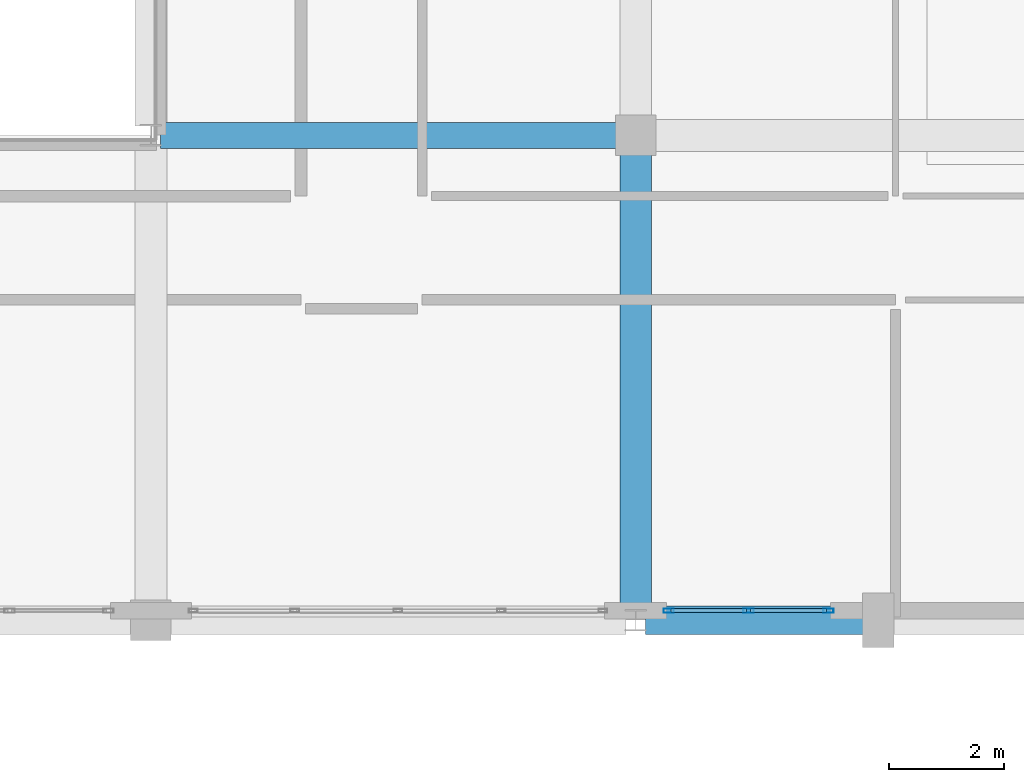
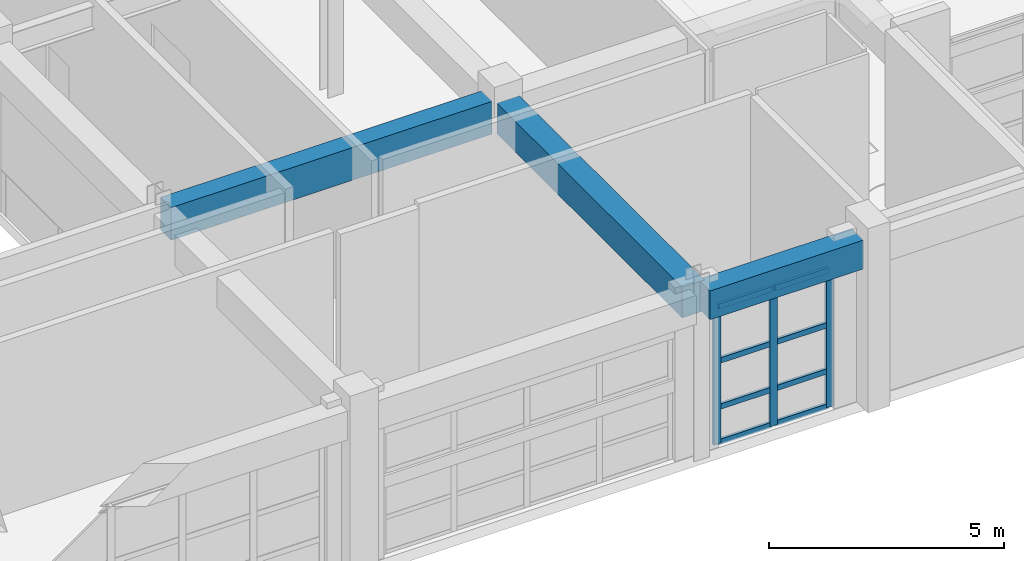
# One storey, part 54 of 123: 11 members, 3 beams, 1 element without a shape of its own.
"""IFC4 building model written with IfcOpenShell, lengths in metres."""

from ifc_helpers import new_model, si_unit, direction, frame, origin, origin_2d, place, context, subcontext, project, spatial, rectangle, hollow_rectangle, extrude, material, layer, layer_set, material_profile, profile_set, type_object, element, aggregate, save


model = new_model("IFC4")

# Units and contexts
model_context = context("Model", 3, precision=1e-05, world=origin(), true_north=direction((0.0, 1.0)))
body_context = subcontext(model_context, "Body", "Model", "MODEL_VIEW")
ifc_project = project(units=[si_unit("LENGTHUNIT", "METRE"), si_unit("AREAUNIT", "SQUARE_METRE"), si_unit("VOLUMEUNIT", "CUBIC_METRE"), si_unit("PLANEANGLEUNIT", "RADIAN"), si_unit("MASSUNIT", "GRAM", prefix="KILO")], contexts=[model_context])

# Site, building, storey
site_placement = place(None, origin())
site = spatial("IfcSite", under=ifc_project, at=site_placement, CompositionType="ELEMENT")
building_placement = place(site_placement, origin())
building = spatial("IfcBuilding", under=site, at=building_placement, Name="Quendrovan Civic Courthouse", CompositionType="ELEMENT")
storey_placement = place(building_placement, frame((0.0, 0.0, 5.39990234375)))
storey = spatial("IfcBuildingStorey", under=building, at=storey_placement, Name="L02", CompositionType="ELEMENT", Elevation=5.39990234375)

# Beams
ifc_material_1 = material(Name="Concrete C40/50", Category="concrete")
ifc_material_profile_1 = material_profile(ifc_material_1, rectangle(XDim=0.5, YDim=0.75, at=origin_2d()), Name="RC-BM-500x750")
ifc_profile_set_1 = profile_set([ifc_material_profile_1], Name="Concrete C40/50")
beam_type_1 = type_object("IfcBeamType", Name="BM-RC750", PredefinedType="SPANDREL", material=ifc_profile_set_1)
beam_1_placement = place(storey_placement, frame((92.56689453125, 64.800048828125, 3.985107421875), z_axis=(1.0, 0.0, 0.0), x_axis=(0.0, 1.0, 0.0)))
element("IfcBeam", 1, at=beam_1_placement, inside=storey, type_object=beam_type_1, Name="L02 Girder X0537", PredefinedType="SPANDREL", context=body_context, shape_type="SweptSolid", body=[
    extrude(rectangle(XDim=0.5, YDim=0.75, at=origin_2d()), origin(), (0.0, 0.0, 1.0), 3.778076171875),
])
ifc_material_profile_2 = material_profile(ifc_material_1, rectangle(XDim=0.550048828125, YDim=0.800048828125, at=origin_2d()), Name="RC-BM-550x800")
ifc_profile_set_2 = profile_set([ifc_material_profile_2], Name="Concrete C40/50")
beam_type_2 = type_object("IfcBeamType", Name="BM-RC800", PredefinedType="BEAM", material=ifc_profile_set_2)
beam_2_placement = place(storey_placement, frame((92.39990234375, 64.966064453125, 3.960205078125), z_axis=(0.0, 1.0, 0.0), x_axis=(-1.0, 0.0, 0.0)))
element("IfcBeam", 2, at=beam_2_placement, inside=storey, type_object=beam_type_2, Name="L02 Girder Y0677", PredefinedType="BEAM", context=body_context, shape_type="SweptSolid", body=[
    extrude(rectangle(XDim=0.550048828125, YDim=0.800048828125, at=origin_2d()), origin(), (0.0, 0.0, 1.0), 7.904052734375),
])
ifc_material_2 = material(Name="Concrete C45/55", Category="concrete")
ifc_material_profile_3 = material_profile(ifc_material_2, rectangle(XDim=0.449951171875, YDim=0.85009765625, at=origin_2d()), Name="RC-BM-450x850")
ifc_profile_set_3 = profile_set([ifc_material_profile_3], Name="Concrete C45/55")
beam_type_3 = type_object("IfcBeamType", Name="BM-RC850", PredefinedType="BEAM", material=ifc_profile_set_3)
beam_3_placement = place(storey_placement, frame((84.1669921875, 73.199951171875, 3.93505859375), z_axis=(1.0, 0.0, 0.0), x_axis=(0.0, 1.0, 0.0)))
element("IfcBeam", 3, at=beam_3_placement, inside=storey, type_object=beam_type_3, Name="L02 Girder X0542", PredefinedType="BEAM", context=body_context, shape_type="SweptSolid", body=[
    extrude(rectangle(XDim=0.449951171875, YDim=0.85009765625, at=origin_2d()), origin(), (0.0, 0.0, 1.0), 7.903076171875),
])

# Curtain wall, members
ifc_material_3 = material(Name="Bronze anodised aluminium and low-E glass", Category="aluminium")
ifc_layer = layer(ifc_material_3, 0.179931640625, Name="Bronze anodised aluminium and low-E glass")
ifc_layer_set = layer_set([ifc_layer], Name="Bronze anodised aluminium and low-E glass")
curtain_wall_type = type_object("IfcCurtainWallType", Name="CW-U28x36", PredefinedType="USERDEFINED", material=ifc_layer_set)
curtain_wall_placement = place(storey_placement, origin())
curtain_wall = element("IfcCurtainWall", 4, at=curtain_wall_placement, inside=storey, type_object=curtain_wall_type, Name="L02 Unitised Hurricane Curtain Wall CW-106", ObjectType="UNITISED CURTAIN WALL", PredefinedType="USERDEFINED")
ifc_material_4 = material(Name="Bronze anodised aluminium", Category="aluminium")
ifc_material_profile_4 = material_profile(ifc_material_4, hollow_rectangle(XDim=0.070068359375, YDim=0.179931640625, WallThickness=0.00390625, at=origin_2d()), Name="CW-MULL-70x180")
ifc_profile_set_4 = profile_set([ifc_material_profile_4], Name="Bronze anodised aluminium")
member_type_1 = type_object("IfcMemberType", Name="CW-MULL-A", PredefinedType="MULLION", material=ifc_profile_set_4)
member_1_placement = place(storey_placement, frame((95.739990234375, 64.965087890625, 0.0), z_axis=(0.0, 0.0, 1.0), x_axis=(0.0, -1.0, 0.0)))
member_1 = element("IfcMember", 5, at=member_1_placement, type_object=member_type_1, Name="CW-106 mullion 1", PredefinedType="MULLION", context=body_context, shape_type="SweptSolid", body=[
    extrude(hollow_rectangle(XDim=0.070068359375, YDim=0.179931640625, WallThickness=0.00390625, at=origin_2d()), origin(), (0.0, 0.0, 1.0), 3.60009765625),
])
member_2_placement = place(storey_placement, frame((94.35595703125, 64.965087890625, 0.0), z_axis=(0.0, 0.0, 1.0), x_axis=(0.0, -1.0, 0.0)))
member_2 = element("IfcMember", 6, at=member_2_placement, type_object=member_type_1, Name="CW-106 mullion 2", PredefinedType="MULLION", context=body_context, shape_type="SweptSolid", body=[
    extrude(hollow_rectangle(XDim=0.070068359375, YDim=0.179931640625, WallThickness=0.00390625, at=origin_2d()), origin(), (0.0, 0.0, 1.0), 3.60009765625),
])
member_3_placement = place(storey_placement, frame((92.971923828125, 64.965087890625, 0.0), z_axis=(0.0, 0.0, 1.0), x_axis=(0.0, -1.0, 0.0)))
member_3 = element("IfcMember", 7, at=member_3_placement, type_object=member_type_1, Name="CW-106 mullion 3", PredefinedType="MULLION", context=body_context, shape_type="SweptSolid", body=[
    extrude(hollow_rectangle(XDim=0.070068359375, YDim=0.179931640625, WallThickness=0.00390625, at=origin_2d()), origin(), (0.0, 0.0, 1.0), 3.60009765625),
])
ifc_material_profile_5 = material_profile(ifc_material_4, hollow_rectangle(XDim=0.070068359375, YDim=0.139892578125, WallThickness=0.00390625, at=origin_2d()), Name="CW-TRAN-70x140")
ifc_profile_set_5 = profile_set([ifc_material_profile_5], Name="Bronze anodised aluminium")
member_type_2 = type_object("IfcMemberType", Name="CW-TRAN-A", PredefinedType="USERDEFINED", material=ifc_profile_set_5)
member_4_placement = place(storey_placement, frame((95.705078125, 64.965087890625, 0.03515625), z_axis=(-1.0, 0.0, 0.0), x_axis=(0.0, -1.0, 0.0)))
member_4 = element("IfcMember", 8, at=member_4_placement, type_object=member_type_2, Name="CW-106 transom 1.1", ObjectType="TRANSOM", PredefinedType="USERDEFINED", context=body_context, shape_type="SweptSolid", body=[
    extrude(hollow_rectangle(XDim=0.070068359375, YDim=0.139892578125, WallThickness=0.00390625, at=origin_2d()), origin(), (0.0, 0.0, 1.0), 1.31396484375),
])
member_5_placement = place(storey_placement, frame((95.705078125, 64.965087890625, 0.9501953125), z_axis=(-1.0, 0.0, 0.0), x_axis=(0.0, -1.0, 0.0)))
member_5 = element("IfcMember", 9, at=member_5_placement, type_object=member_type_2, Name="CW-106 transom 1.2", ObjectType="TRANSOM", PredefinedType="USERDEFINED", context=body_context, shape_type="SweptSolid", body=[
    extrude(hollow_rectangle(XDim=0.070068359375, YDim=0.139892578125, WallThickness=0.00390625, at=origin_2d()), origin(), (0.0, 0.0, 1.0), 1.31396484375),
])
member_6_placement = place(storey_placement, frame((95.705078125, 64.965087890625, 2.150146484375), z_axis=(-1.0, 0.0, 0.0), x_axis=(0.0, -1.0, 0.0)))
member_6 = element("IfcMember", 10, at=member_6_placement, type_object=member_type_2, Name="CW-106 transom 1.3", ObjectType="TRANSOM", PredefinedType="USERDEFINED", context=body_context, shape_type="SweptSolid", body=[
    extrude(hollow_rectangle(XDim=0.070068359375, YDim=0.139892578125, WallThickness=0.00390625, at=origin_2d()), origin(), (0.0, 0.0, 1.0), 1.31396484375),
])
member_7_placement = place(storey_placement, frame((95.705078125, 64.965087890625, 3.565185546875), z_axis=(-1.0, 0.0, 0.0), x_axis=(0.0, -1.0, 0.0)))
member_7 = element("IfcMember", 11, at=member_7_placement, type_object=member_type_2, Name="CW-106 transom 1.4", ObjectType="TRANSOM", PredefinedType="USERDEFINED", context=body_context, shape_type="SweptSolid", body=[
    extrude(hollow_rectangle(XDim=0.070068359375, YDim=0.139892578125, WallThickness=0.00390625, at=origin_2d()), origin(), (0.0, 0.0, 1.0), 1.31396484375),
])
member_8_placement = place(storey_placement, frame((94.321044921875, 64.965087890625, 0.03515625), z_axis=(-1.0, 0.0, 0.0), x_axis=(0.0, -1.0, 0.0)))
member_8 = element("IfcMember", 12, at=member_8_placement, type_object=member_type_2, Name="CW-106 transom 2.1", ObjectType="TRANSOM", PredefinedType="USERDEFINED", context=body_context, shape_type="SweptSolid", body=[
    extrude(hollow_rectangle(XDim=0.070068359375, YDim=0.139892578125, WallThickness=0.00390625, at=origin_2d()), origin(), (0.0, 0.0, 1.0), 1.31396484375),
])
member_9_placement = place(storey_placement, frame((94.321044921875, 64.965087890625, 0.9501953125), z_axis=(-1.0, 0.0, 0.0), x_axis=(0.0, -1.0, 0.0)))
member_9 = element("IfcMember", 13, at=member_9_placement, type_object=member_type_2, Name="CW-106 transom 2.2", ObjectType="TRANSOM", PredefinedType="USERDEFINED", context=body_context, shape_type="SweptSolid", body=[
    extrude(hollow_rectangle(XDim=0.070068359375, YDim=0.139892578125, WallThickness=0.00390625, at=origin_2d()), origin(), (0.0, 0.0, 1.0), 1.31396484375),
])
member_10_placement = place(storey_placement, frame((94.321044921875, 64.965087890625, 2.150146484375), z_axis=(-1.0, 0.0, 0.0), x_axis=(0.0, -1.0, 0.0)))
member_10 = element("IfcMember", 14, at=member_10_placement, type_object=member_type_2, Name="CW-106 transom 2.3", ObjectType="TRANSOM", PredefinedType="USERDEFINED", context=body_context, shape_type="SweptSolid", body=[
    extrude(hollow_rectangle(XDim=0.070068359375, YDim=0.139892578125, WallThickness=0.00390625, at=origin_2d()), origin(), (0.0, 0.0, 1.0), 1.31396484375),
])
member_11_placement = place(storey_placement, frame((94.321044921875, 64.965087890625, 3.565185546875), z_axis=(-1.0, 0.0, 0.0), x_axis=(0.0, -1.0, 0.0)))
member_11 = element("IfcMember", 15, at=member_11_placement, type_object=member_type_2, Name="CW-106 transom 2.4", ObjectType="TRANSOM", PredefinedType="USERDEFINED", context=body_context, shape_type="SweptSolid", body=[
    extrude(hollow_rectangle(XDim=0.070068359375, YDim=0.139892578125, WallThickness=0.00390625, at=origin_2d()), origin(), (0.0, 0.0, 1.0), 1.31396484375),
])
aggregate(curtain_wall, [member_1, member_2, member_3, member_4, member_5, member_6, member_7, member_8, member_9, member_10, member_11])

save(model, "model.ifc")
